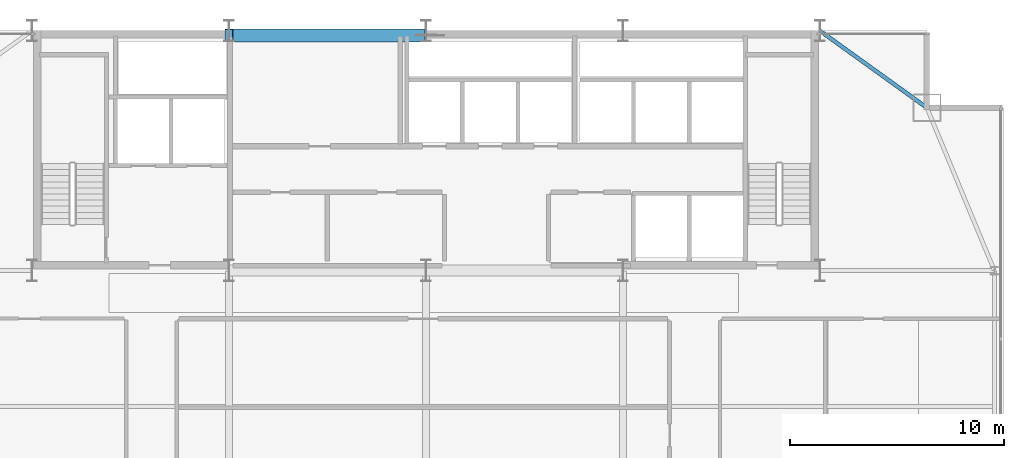
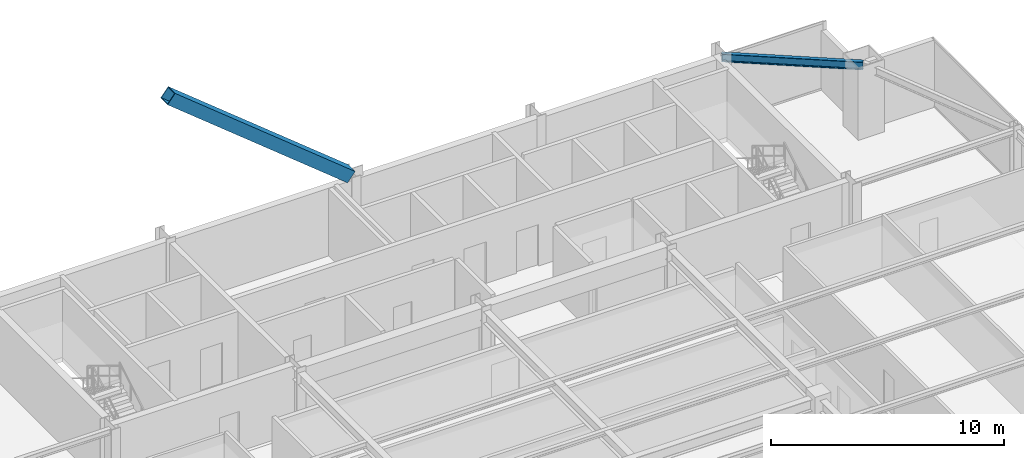
# One storey, part 21 of 30: 1 beam, 1 member.
"""IFC4 building model written with IfcOpenShell, lengths in metres."""

from ifc_helpers import new_model, si_unit, direction, frame, origin, origin_2d, place, context, subcontext, project, spatial, hollow_rectangle, i_section, extrude, source, transform, mapped, material, material_profile, profile_set, type_object, type_shapes, element, save


model = new_model("IFC4")

# Units and contexts
model_context = context("Model", 3, precision=1e-05, world=origin(), true_north=direction((0.0, 1.0)))
body_context = subcontext(model_context, "Body", "Model", "MODEL_VIEW")
ifc_project = project(units=[si_unit("LENGTHUNIT", "METRE"), si_unit("AREAUNIT", "SQUARE_METRE"), si_unit("VOLUMEUNIT", "CUBIC_METRE"), si_unit("PLANEANGLEUNIT", "RADIAN"), si_unit("MASSUNIT", "GRAM", prefix="KILO")], contexts=[model_context])

# Site, building, storey
site_placement = place(None, origin())
site = spatial("IfcSite", under=ifc_project, at=site_placement, CompositionType="ELEMENT")
building_placement = place(site_placement, origin())
building = spatial("IfcBuilding", under=site, at=building_placement, Name="Varnel Quay Broadcast Tower", CompositionType="ELEMENT")
storey_placement = place(building_placement, frame((0.0, 0.0, 180.0)))
storey = spatial("IfcBuildingStorey", under=building, at=storey_placement, Name="L44", CompositionType="ELEMENT", Elevation=180.0)

# Beam
ifc_material_1 = material(Name="Structural Steel CSA G40.21 350W", Category="steel")
ifc_material_profile_1 = material_profile(ifc_material_1, i_section(OverallWidth=0.180908203125, OverallDepth=0.4169921875, WebThickness=0.010986328125, FlangeThickness=0.018310546875, FilletRadius=0.011962890625, at=origin_2d()), Name="W410X85")
ifc_profile_set_1 = profile_set([ifc_material_profile_1], Name="Structural Steel CSA G40.21 350W")
beam_type = type_object("IfcBeamType", Name="Beam_W410X85", PredefinedType="SPANDREL", material=ifc_profile_set_1)
shared_shape_1 = source(origin(), body_context, "Body", "SweptSolid", [
    extrude(i_section(OverallWidth=0.180908203125, OverallDepth=0.4169921875, WebThickness=0.010986328125, FlangeThickness=0.018310546875, FilletRadius=0.011962890625, at=origin_2d()), origin(), (0.0, 0.0, 1.0), 6.12109375),
])
type_shapes(beam_type, [shared_shape_1])
beam_placement = place(storey_placement, frame((52.416259765625, 46.788330078125, 3.341552734375), z_axis=(0.811531315425, -0.584308928637, 0.0), x_axis=(0.584308928637, 0.811531315425, 0.0)))
element("IfcBeam", 1, at=beam_placement, inside=storey, type_object=beam_type, Name="L44 NE Tie Spandrel", PredefinedType="SPANDREL", context=body_context, shape_type="MappedRepresentation", body=[
    mapped(shared_shape_1, transform((0.0, 0.0, 0.0), x_axis=(1.0, 0.0, 0.0), y_axis=(0.0, 1.0, 0.0), z_axis=(0.0, 0.0, 1.0), scale=1.0)),
])

# Member
ifc_material_2 = material(Name="Structural Steel CSA G40.21 350WT", Category="steel")
ifc_material_profile_2 = material_profile(ifc_material_2, hollow_rectangle(XDim=0.60009765625, YDim=0.60009765625, WallThickness=0.028076171875, at=origin_2d()), Name="BOX600X600X28")
ifc_profile_set_2 = profile_set([ifc_material_profile_2], Name="Structural Steel CSA G40.21 350WT")
member_type = type_object("IfcMemberType", Name="Brace_BOX600X600X28", PredefinedType="BRACE", material=ifc_profile_set_2)
shared_shape_2 = source(origin(), body_context, "Body", "SweptSolid", [
    extrude(hollow_rectangle(XDim=0.60009765625, YDim=0.60009765625, WallThickness=0.028076171875, at=origin_2d()), origin(), (0.0, 0.0, 1.0), 11.5),
])
type_shapes(member_type, [shared_shape_2])
member_placement = place(storey_placement, frame((33.741943359375, 46.580078125, 3.86865234375), z_axis=(-0.77755228598, 0.0, 0.628818290579), x_axis=(0.0, -1.0, 0.0)))
element("IfcMember", 2, at=member_placement, inside=storey, type_object=member_type, Name="Zone 3 Mega-Brace N-CT3 Split Diag B2", PredefinedType="BRACE", context=body_context, shape_type="MappedRepresentation", body=[
    mapped(shared_shape_2, transform((0.0, 0.0, 0.0), x_axis=(1.0, 0.0, 0.0), y_axis=(0.0, 1.0, 0.0), z_axis=(0.0, 0.0, 1.0), scale=1.0)),
])

save(model, "model.ifc")
